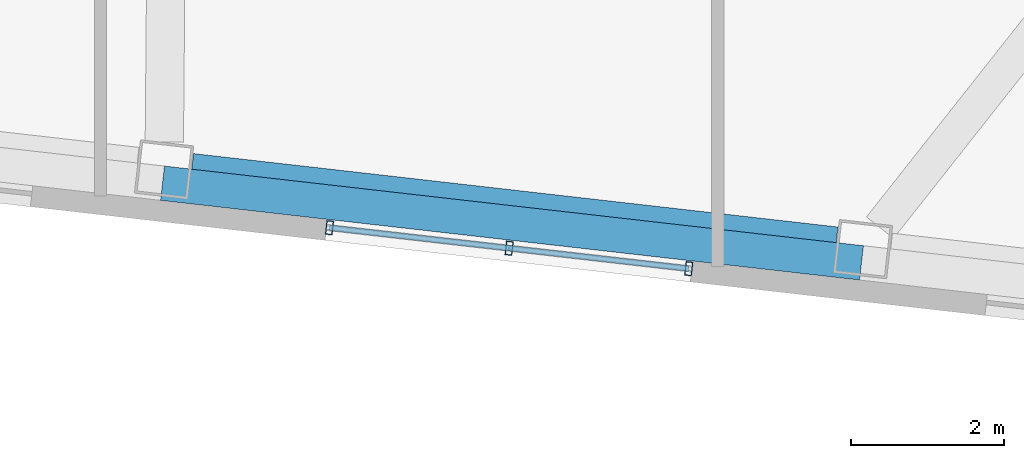
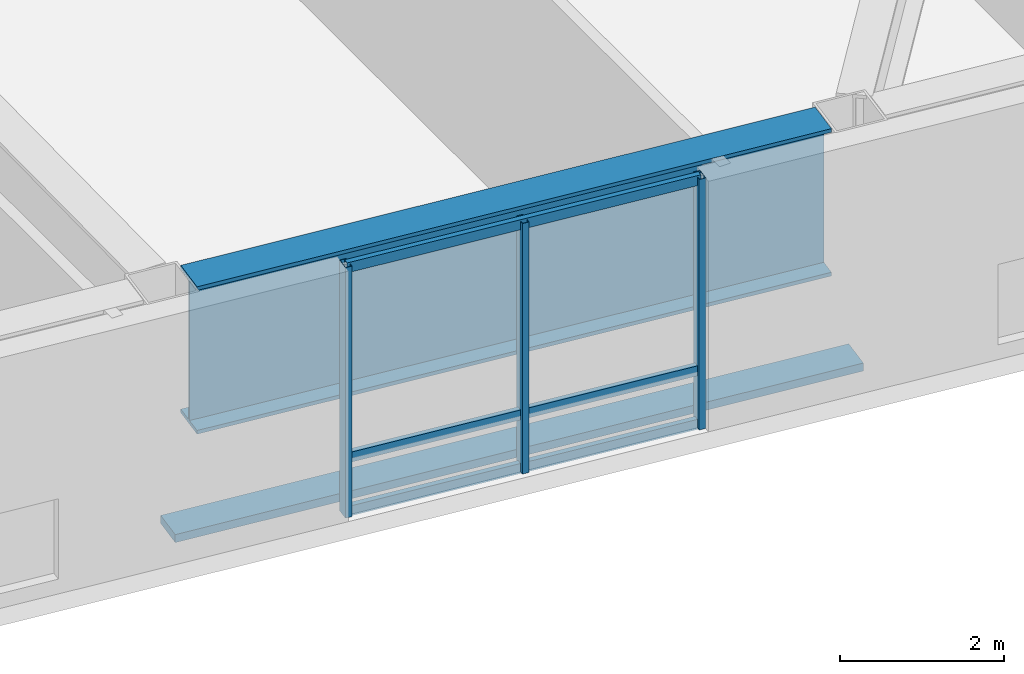
# One storey, part 4 of 21: 7 members, 1 beam, 1 element without a shape of its own.
"""IFC4 building model written with IfcOpenShell, lengths in metres."""

import ifcopenshell
import ifcopenshell.guid

model = None  # the IFC model being written
_history = None  # IfcOwnerHistory: only IFC2X3 demands one
_inside = {}  # id of a spatial element -> (the spatial element, [elements in it])
_under = {}  # id of a project, library or spatial element -> (it, [spatial elements below it])
_declared = {}  # id of a project -> (the project, [libraries it declares])
_typed = {}  # id of a type object -> (the type object, [elements of that type])
_made_of = {}  # id of a material, layer set ... -> (it, [elements and type objects made of it])


def new_model(schema):
    """Start an empty IFC model of exactly this schema.

    Asked for "IFC4X3", IfcOpenShell would pick the latest addendum, in which some entities
    have other attributes; the version numbers below select the first issue.
    IFC2X3 requires an IfcOwnerHistory on every rooted entity: one is made here for all.
    """
    global model, _history
    if schema == "IFC4X3":
        model = ifcopenshell.file(schema_version=(4, 3, 0, 0))
    else:
        model = ifcopenshell.file(schema=schema)
    _inside.clear()
    _under.clear()
    _declared.clear()
    _typed.clear()
    _made_of.clear()
    _history = None
    if model.schema == "IFC2X3":
        org = make("IfcOrganization", Name="unknown")
        user = make(
            "IfcPersonAndOrganization",
            ThePerson=make("IfcPerson", FamilyName="unknown"),
            TheOrganization=org,
        )
        app = make(
            "IfcApplication",
            ApplicationDeveloper=org,
            Version="unknown",
            ApplicationFullName="unknown",
            ApplicationIdentifier="unknown",
        )
        _history = make(
            "IfcOwnerHistory",
            OwningUser=user,
            OwningApplication=app,
            ChangeAction="ADDED",
            CreationDate=0,
        )
    return model


def make(cls, **values):
    """One entity of the class cls with the attributes given. An attribute that is None is left unset."""
    return model.create_entity(
        cls, **{name: value for name, value in values.items() if value is not None}
    )


def rooted(cls, **values):
    """An entity with a GlobalId (a new one), such as an element, a storey or a relation."""
    return make(cls, GlobalId=ifcopenshell.guid.new(), OwnerHistory=_history, **values)


def si_unit(unit_type, name, prefix=None):
    """IfcSIUnit, for example si_unit("LENGTHUNIT", "METRE", prefix="MILLI")."""
    return make("IfcSIUnit", UnitType=unit_type, Prefix=prefix, Name=name)


def assignment(units):
    """IfcUnitAssignment: the units of a project."""
    return None if units is None else make("IfcUnitAssignment", Units=units)


def point(xyz):
    """IfcCartesianPoint."""
    return None if xyz is None else make("IfcCartesianPoint", Coordinates=xyz)


def direction(xyz):
    """IfcDirection."""
    return None if xyz is None else make("IfcDirection", DirectionRatios=xyz)


def frame(location, z_axis=None, x_axis=None):
    """IfcAxis2Placement3D, a coordinate frame: its origin and axes. An axis left out is left unset."""
    return make(
        "IfcAxis2Placement3D",
        Location=point(location),
        Axis=direction(z_axis),
        RefDirection=direction(x_axis),
    )


def frame_2d(location, x_axis=None):
    """IfcAxis2Placement2D, a coordinate frame in the plane: its origin and x axis."""
    return make(
        "IfcAxis2Placement2D", Location=point(location), RefDirection=direction(x_axis)
    )


def origin():
    """The frame at (0, 0, 0) with its axes left unset."""
    return frame((0.0, 0.0, 0.0))


def origin_2d():
    """The frame at (0, 0) in the plane with its x axis left unset."""
    return frame_2d((0.0, 0.0))


def place(relative_to, where):
    """IfcLocalPlacement: puts the frame where relative to a parent placement (None: the world)."""
    return make(
        "IfcLocalPlacement", PlacementRelTo=relative_to, RelativePlacement=where
    )


def context(
    kind, dimensions, precision=None, world=None, true_north=None, identifier=None
):
    """IfcGeometricRepresentationContext, for example the 3D "Model" context."""
    return make(
        "IfcGeometricRepresentationContext",
        ContextIdentifier=identifier,
        ContextType=kind,
        CoordinateSpaceDimension=dimensions,
        Precision=precision,
        WorldCoordinateSystem=world,
        TrueNorth=true_north,
    )


def subcontext(parent, identifier, kind, view, scale=None):
    """IfcGeometricRepresentationSubContext, for example "Body" below "Model"."""
    return make(
        "IfcGeometricRepresentationSubContext",
        ContextIdentifier=identifier,
        ContextType=kind,
        ParentContext=parent,
        TargetScale=scale,
        TargetView=view,
    )


def project(units=None, contexts=None):
    """IfcProject with its units and contexts."""
    return rooted(
        "IfcProject",
        Name="project",
        RepresentationContexts=contexts,
        UnitsInContext=assignment(units),
    )


def spatial(cls, under=None, at=None, **own):
    """A site, building, storey or space (cls), placed at a placement, below another one or the project."""
    s = rooted(cls, ObjectPlacement=at, **own)
    if under is not None:
        _under.setdefault(under.id(), (under, []))[1].append(s)
    return s


def profile(cls, at=None, kind="AREA", **sizes):
    """A parametric profile (cls). Its sizes go by their IFC names, for example OverallWidth=200.0."""
    return make(cls, ProfileType=kind, Position=at, **sizes)


def rectangle(**sizes):
    """IfcRectangleProfileDef."""
    return profile("IfcRectangleProfileDef", **sizes)


def hollow_rectangle(**sizes):
    """IfcRectangleHollowProfileDef."""
    return profile("IfcRectangleHollowProfileDef", **sizes)


def i_section(**sizes):
    """IfcIShapeProfileDef."""
    return profile("IfcIShapeProfileDef", **sizes)


def extrude(swept, where, along, depth):
    """IfcExtrudedAreaSolid: the profile swept, set in the frame where, extruded along a direction by depth."""
    return make(
        "IfcExtrudedAreaSolid",
        SweptArea=swept,
        Position=where,
        ExtrudedDirection=direction(along),
        Depth=depth,
    )


def shape(context_of_items, identifier, shape_type, items):
    """IfcShapeRepresentation: the items that make up one representation, for example the "Body"."""
    return make(
        "IfcShapeRepresentation",
        ContextOfItems=context_of_items,
        RepresentationIdentifier=identifier,
        RepresentationType=shape_type,
        Items=items,
    )


def material(Name=None, Category=None):
    """IfcMaterial."""
    return make("IfcMaterial", Name=Name, Category=Category)


def layer(
    of_material, thickness, ventilated=None, Name=None, Category=None, Priority=None
):
    """IfcMaterialLayer: one layer of a wall or slab, of a material (None: an air gap)."""
    return make(
        "IfcMaterialLayer",
        Material=of_material,
        LayerThickness=thickness,
        IsVentilated=ventilated,
        Name=Name,
        Category=Category,
        Priority=Priority,
    )


def layer_set(layers, Name=None):
    """IfcMaterialLayerSet."""
    return make("IfcMaterialLayerSet", MaterialLayers=layers, LayerSetName=Name)


def material_profile(
    of_material, cross_section, Name=None, Category=None, Priority=None
):
    """IfcMaterialProfile: a cross section and its material."""
    return make(
        "IfcMaterialProfile",
        Name=Name,
        Material=of_material,
        Profile=cross_section,
        Priority=Priority,
        Category=Category,
    )


def profile_set(profiles, Name=None, composite=None):
    """IfcMaterialProfileSet."""
    return make(
        "IfcMaterialProfileSet",
        Name=Name,
        MaterialProfiles=profiles,
        CompositeProfile=composite,
    )


def made_of(thing, what):
    """Note that an element or type object is made of a material, layer set ...; save() writes the relation."""
    if what is not None:
        _made_of.setdefault(what.id(), (what, []))[1].append(thing)
    return thing


def type_object(cls, material=None, **own):
    """A type object (cls), such as IfcWallType, which elements share."""
    return made_of(rooted(cls, **own), material)


def element(
    cls,
    number,
    at=None,
    inside=None,
    cuts=None,
    type_object=None,
    material=None,
    context=None,
    identifier="Body",
    shape_type=None,
    held_by="IfcProductDefinitionShape",
    body=None,
    shapes=None,
    **own,
):
    """One element of the class cls, such as IfcWall. Its Tag is "e" and its number.

    at: its placement. inside: the storey or other place that contains it. cuts: it is an
    opening in that element (IfcRelVoidsElement). A single representation is given by context,
    identifier, shape_type and body (its items); several are given by shapes. held_by: the class
    of the entity that holds the representations. save() writes the other relations.
    """
    e = rooted(cls, Tag="e%d" % number, ObjectPlacement=at, **own)
    if body is not None:
        shapes = [shape(context, identifier, shape_type, body)]
    if shapes is not None:
        e.Representation = make(held_by, Representations=shapes)
    if inside is not None:
        _inside.setdefault(inside.id(), (inside, []))[1].append(e)
    if cuts is not None:
        rooted(
            "IfcRelVoidsElement", RelatingBuildingElement=cuts, RelatedOpeningElement=e
        )
    if type_object is not None:
        _typed.setdefault(type_object.id(), (type_object, []))[1].append(e)
    return made_of(e, material)


def aggregate(whole, parts):
    """IfcRelAggregates: a whole, such as a stair, and the parts it consists of."""
    return rooted("IfcRelAggregates", RelatingObject=whole, RelatedObjects=parts)


def save(model, path):
    """Write the relations noted so far, then the file.

    IfcRelAggregates (storeys below a building ...), IfcRelContainedInSpatialStructure (elements
    in a storey), IfcRelDefinesByType, IfcRelAssociatesMaterial and IfcRelDeclares: one each for
    every whole, place, type object, material and project.
    """
    for whole, parts in _under.values():
        aggregate(whole, parts)
    for where, things in _inside.values():
        rooted(
            "IfcRelContainedInSpatialStructure",
            RelatedElements=things,
            RelatingStructure=where,
        )
    for kind, things in _typed.values():
        rooted("IfcRelDefinesByType", RelatedObjects=things, RelatingType=kind)
    for what, things in _made_of.values():
        rooted("IfcRelAssociatesMaterial", RelatedObjects=things, RelatingMaterial=what)
    for by, libraries in _declared.values():
        rooted("IfcRelDeclares", RelatingContext=by, RelatedDefinitions=libraries)
    model.write(path)


model = new_model("IFC4")

# Units and contexts
model_context = context("Model", 3, precision=1e-05, world=origin(), true_north=direction((0.0, 1.0)))
body_context = subcontext(model_context, "Body", "Model", "MODEL_VIEW")
ifc_project = project(units=[si_unit("LENGTHUNIT", "METRE"), si_unit("AREAUNIT", "SQUARE_METRE"), si_unit("VOLUMEUNIT", "CUBIC_METRE"), si_unit("PLANEANGLEUNIT", "RADIAN"), si_unit("MASSUNIT", "GRAM", prefix="KILO")], contexts=[model_context])

# Site, building, storey
site_placement = place(None, origin())
site = spatial("IfcSite", under=ifc_project, at=site_placement, CompositionType="ELEMENT")
building_placement = place(site_placement, origin())
building = spatial("IfcBuilding", under=site, at=building_placement, Name="Tavrogorsk Clinical Tower", CompositionType="ELEMENT")
storey_placement = place(building_placement, frame((0.0, 0.0, 89.39990234375)))
storey = spatial("IfcBuildingStorey", under=building, at=storey_placement, Name="L19", CompositionType="ELEMENT", Elevation=89.39990234375)

# Member
ifc_material_1 = material(Name="Anodised aluminium alloy AW-6063", Category="aluminium")
ifc_material_profile_1 = material_profile(ifc_material_1, rectangle(XDim=0.449951171875, YDim=0.1201171875, at=origin_2d()), Name="ALU-SUNSHADE-450x120")
ifc_profile_set_1 = profile_set([ifc_material_profile_1], Name="Anodised aluminium alloy AW-6063")
member_type_1 = type_object("IfcMemberType", Name="ChicagoSunshade_450x120", PredefinedType="USERDEFINED", material=ifc_profile_set_1)
member_1_placement = place(storey_placement, frame((4.208251953125, -26.463134765625, 0.18017578125), z_axis=(0.993569662511, -0.113222461274, 0.0), x_axis=(0.113222461274, 0.993569662511, 0.0)))
element("IfcMember", 1, at=member_1_placement, inside=storey, type_object=member_type_1, Name="L19 South Aluminium Sunshade S5", ObjectType="SUNSHADE", PredefinedType="USERDEFINED", context=body_context, shape_type="SweptSolid", body=[
    extrude(rectangle(XDim=0.449951171875, YDim=0.1201171875, at=origin_2d()), origin(), (0.0, 0.0, 1.0), 9.17724609375),
])

# Curtain wall, members
ifc_material_2 = material(Name="Anodised aluminium and triple IGU glazing", Category="aluminium")
ifc_layer = layer(ifc_material_2, 0.179931640625)
ifc_layer_set = layer_set([ifc_layer], Name="Anodised aluminium and triple IGU glazing")
curtain_wall_type = type_object("IfcCurtainWallType", Name="CW3_SouthSlot", PredefinedType="NOTDEFINED", material=ifc_layer_set)
curtain_wall_placement = place(storey_placement, origin())
curtain_wall = element("IfcCurtainWall", 2, at=curtain_wall_placement, inside=storey, type_object=curtain_wall_type, Name="L19 Curtain Wall CW-L19-S-SLOT-2", PredefinedType="NOTDEFINED")
ifc_material_3 = material(Name="Anodised aluminium alloy AW-6060", Category="aluminium")
ifc_material_profile_2 = material_profile(ifc_material_3, hollow_rectangle(XDim=0.090087890625, YDim=0.179931640625, WallThickness=0.00634765625, at=origin_2d()), Name="RHS-180x90x6.3")
ifc_profile_set_2 = profile_set([ifc_material_profile_2], Name="Anodised aluminium alloy AW-6060")
member_type_2 = type_object("IfcMemberType", Name="CwMullion_180x90", PredefinedType="MULLION", material=ifc_profile_set_2)
member_2_placement = place(storey_placement, frame((6.38623046875, -27.04345703125, 0.0), z_axis=(0.0, 0.0, 1.0), x_axis=(0.993571858269, -0.113203191016, 0.0)))
member_2 = element("IfcMember", 3, at=member_2_placement, type_object=member_type_2, Name="CW-L19-S-SLOT-2 Mullion 1", PredefinedType="MULLION", context=body_context, shape_type="SweptSolid", body=[
    extrude(hollow_rectangle(XDim=0.090087890625, YDim=0.179931640625, WallThickness=0.00634765625, at=origin_2d()), origin(), (0.0, 0.0, 1.0), 3.739990234375),
])
member_3_placement = place(storey_placement, frame((8.72998046875, -27.310546875, 0.0), z_axis=(0.0, 0.0, 1.0), x_axis=(0.993571858269, -0.113203191016, 0.0)))
member_3 = element("IfcMember", 4, at=member_3_placement, type_object=member_type_2, Name="CW-L19-S-SLOT-2 Mullion 2", PredefinedType="MULLION", context=body_context, shape_type="SweptSolid", body=[
    extrude(hollow_rectangle(XDim=0.090087890625, YDim=0.179931640625, WallThickness=0.00634765625, at=origin_2d()), origin(), (0.0, 0.0, 1.0), 3.739990234375),
])
member_4_placement = place(storey_placement, frame((11.07373046875, -27.57763671875, 0.0), z_axis=(0.0, 0.0, 1.0), x_axis=(0.993571858269, -0.113203191016, 0.0)))
member_4 = element("IfcMember", 5, at=member_4_placement, type_object=member_type_2, Name="CW-L19-S-SLOT-2 Mullion 3", PredefinedType="MULLION", context=body_context, shape_type="SweptSolid", body=[
    extrude(hollow_rectangle(XDim=0.090087890625, YDim=0.179931640625, WallThickness=0.00634765625, at=origin_2d()), origin(), (0.0, 0.0, 1.0), 3.739990234375),
])
ifc_material_4 = material(Name="Anodised aluminium alloy AW-6060", Category="aluminium")
ifc_material_profile_3 = material_profile(ifc_material_4, hollow_rectangle(XDim=0.074951171875, YDim=0.14990234375, WallThickness=0.0048828125, at=origin_2d()), Name="RHS-150x75x5")
ifc_profile_set_3 = profile_set([ifc_material_profile_3], Name="Anodised aluminium alloy AW-6060")
member_type_3 = type_object("IfcMemberType", Name="CwTransom_150x75", PredefinedType="USERDEFINED", material=ifc_profile_set_3)
member_5_placement = place(storey_placement, frame((6.38623046875, -27.04345703125, 0.050048828125), z_axis=(0.993569315854, -0.113225503286, 0.0), x_axis=(0.113225503286, 0.993569315854, 0.0)))
member_5 = element("IfcMember", 6, at=member_5_placement, type_object=member_type_3, Name="CW-L19-S-SLOT-2 Transom 1", ObjectType="TRANSOM", PredefinedType="USERDEFINED", context=body_context, shape_type="SweptSolid", body=[
    extrude(hollow_rectangle(XDim=0.074951171875, YDim=0.14990234375, WallThickness=0.0048828125, at=origin_2d()), origin(), (0.0, 0.0, 1.0), 4.7177734375),
])
member_6_placement = place(storey_placement, frame((6.38623046875, -27.04345703125, 0.85009765625), z_axis=(0.993569315854, -0.113225503286, 0.0), x_axis=(0.113225503286, 0.993569315854, 0.0)))
member_6 = element("IfcMember", 7, at=member_6_placement, type_object=member_type_3, Name="CW-L19-S-SLOT-2 Transom 2", ObjectType="TRANSOM", PredefinedType="USERDEFINED", context=body_context, shape_type="SweptSolid", body=[
    extrude(hollow_rectangle(XDim=0.074951171875, YDim=0.14990234375, WallThickness=0.0048828125, at=origin_2d()), origin(), (0.0, 0.0, 1.0), 4.7177734375),
])
member_7_placement = place(storey_placement, frame((6.38623046875, -27.04345703125, 3.690185546875), z_axis=(0.993569315854, -0.113225503286, 0.0), x_axis=(0.113225503286, 0.993569315854, 0.0)))
member_7 = element("IfcMember", 8, at=member_7_placement, type_object=member_type_3, Name="CW-L19-S-SLOT-2 Transom 3", ObjectType="TRANSOM", PredefinedType="USERDEFINED", context=body_context, shape_type="SweptSolid", body=[
    extrude(hollow_rectangle(XDim=0.074951171875, YDim=0.14990234375, WallThickness=0.0048828125, at=origin_2d()), origin(), (0.0, 0.0, 1.0), 4.7177734375),
])
aggregate(curtain_wall, [member_2, member_3, member_4, member_5, member_6, member_7])

# Beam
ifc_material_5 = material(Name="Structural steel S440", Category="steel")
ifc_material_profile_4 = material_profile(ifc_material_5, i_section(OverallWidth=0.5, OverallDepth=2.199951171875, WebThickness=0.035888671875, FlangeThickness=0.054931640625, at=origin_2d()), Name="DK-2200x500x36x55")
ifc_profile_set_4 = profile_set([ifc_material_profile_4], Name="Structural steel S440")
beam_type = type_object("IfcBeamType", Name="TransferGirder_DK2200", PredefinedType="USERDEFINED", material=ifc_profile_set_4)
beam_placement = place(storey_placement, frame((4.584228515625, -26.324951171875, 2.64013671875), z_axis=(0.99357306506, -0.113192598642, 0.0), x_axis=(0.113192598642, 0.99357306506, 0.0)))
element("IfcBeam", 9, at=beam_placement, inside=storey, type_object=beam_type, Name="L19 Perimeter Spandrel S5-S6", ObjectType="GIRDER", PredefinedType="USERDEFINED", context=body_context, shape_type="SweptSolid", body=[
    extrude(i_section(OverallWidth=0.5, OverallDepth=2.199951171875, WebThickness=0.035888671875, FlangeThickness=0.054931640625, at=origin_2d()), origin(), (0.0, 0.0, 1.0), 8.46142578125),
])

save(model, "model.ifc")
